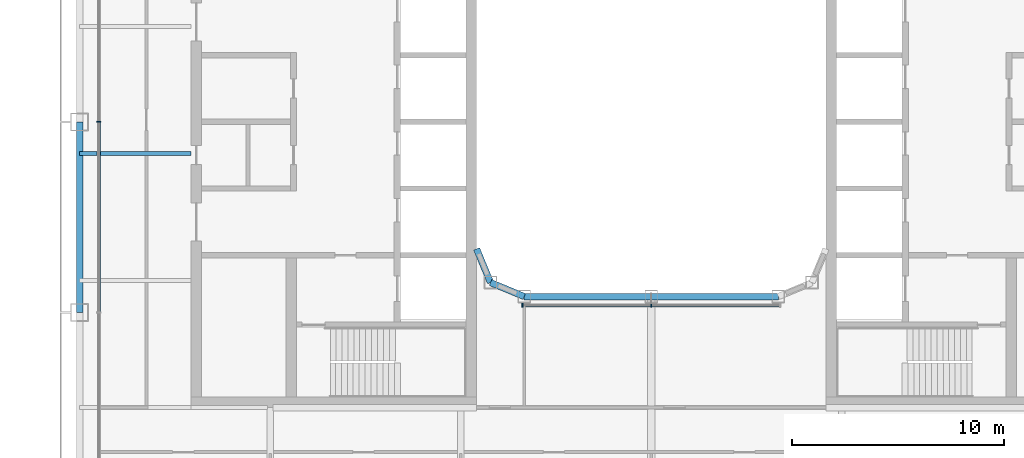
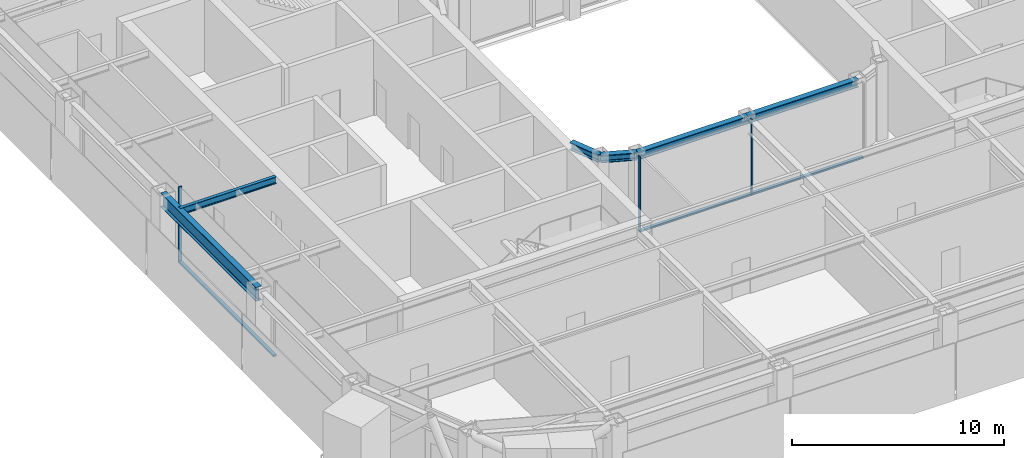
# One storey, part 3 of 23: 6 beams, 6 members, 2 elements without a shape of their own.
"""IFC4 building model written with IfcOpenShell, lengths in metres."""

from ifc_helpers import new_model, si_unit, direction, frame, origin, origin_2d, place, context, subcontext, project, spatial, rectangle, i_section, extrude, material, layer, layer_set, material_profile, profile_set, type_object, element, aggregate, save


model = new_model("IFC4")

# Units and contexts
model_context = context("Model", 3, precision=1e-05, world=origin(), true_north=direction((0.0, 1.0)))
body_context = subcontext(model_context, "Body", "Model", "MODEL_VIEW")
ifc_project = project(units=[si_unit("LENGTHUNIT", "METRE"), si_unit("AREAUNIT", "SQUARE_METRE"), si_unit("VOLUMEUNIT", "CUBIC_METRE"), si_unit("PLANEANGLEUNIT", "RADIAN"), si_unit("MASSUNIT", "GRAM", prefix="KILO")], contexts=[model_context])

# Site, building, storey
site_placement = place(None, origin())
site = spatial("IfcSite", under=ifc_project, at=site_placement, CompositionType="ELEMENT")
building_placement = place(site_placement, origin())
building = spatial("IfcBuilding", under=site, at=building_placement, Name="Siwar Civic Tower", CompositionType="ELEMENT")
storey_placement = place(building_placement, frame((0.0, 0.0, 197.199951171875)))
storey = spatial("IfcBuildingStorey", under=building, at=storey_placement, Name="L42", CompositionType="ELEMENT", Elevation=197.199951171875)

# Curtain wall, member
ifc_material_1 = material(Name="Aluminium and glass", Category="aluminium")
ifc_layer_1 = layer(ifc_material_1, 0.179931640625)
ifc_layer_set_1 = layer_set([ifc_layer_1], Name="Aluminium and glass")
curtain_wall_type_1 = type_object("IfcCurtainWallType", Name="ENV-CW-C", PredefinedType="NOTDEFINED", material=ifc_layer_set_1)
curtain_wall_1_placement = place(storey_placement, origin())
curtain_wall_1 = element("IfcCurtainWall", 1, at=curtain_wall_1_placement, inside=storey, type_object=curtain_wall_type_1, Name="Curtain wall C W", PredefinedType="NOTDEFINED")
ifc_material_2 = material(Name="Aluminium 6063-T6", Category="aluminium")
ifc_material_profile_1 = material_profile(ifc_material_2, rectangle(XDim=0.179931640625, YDim=0.06005859375, at=origin_2d()), Name="AL 180x60")
ifc_profile_set_1 = profile_set([ifc_material_profile_1], Name="Aluminium 6063-T6")
member_type_1 = type_object("IfcMemberType", Name="ENV-MULLION-C", PredefinedType="MULLION", material=ifc_profile_set_1)
member_1_placement = place(storey_placement, frame((-26.10009765625, 0.0, 0.0), z_axis=(0.0, 0.0, 1.0), x_axis=(1.0, 0.0, 0.0)))
member_1 = element("IfcMember", 2, at=member_1_placement, type_object=member_type_1, Name="Mullion C W 3", PredefinedType="MULLION", context=body_context, shape_type="SweptSolid", body=[
    extrude(rectangle(XDim=0.179931640625, YDim=0.06005859375, at=origin_2d()), origin(), (0.0, 0.0, 1.0), 4.35009765625),
])

# Curtain wall, members
ifc_material_3 = material(Name="Aluminium and glass", Category="aluminium")
ifc_layer_2 = layer(ifc_material_3, 0.179931640625)
ifc_layer_set_2 = layer_set([ifc_layer_2], Name="Aluminium and glass")
curtain_wall_type_2 = type_object("IfcCurtainWallType", Name="ENV-CW-W", PredefinedType="NOTDEFINED", material=ifc_layer_set_2)
curtain_wall_2_placement = place(storey_placement, origin())
curtain_wall_2 = element("IfcCurtainWall", 3, at=curtain_wall_2_placement, inside=storey, type_object=curtain_wall_type_2, Name="Curtain wall W WS", PredefinedType="NOTDEFINED")
ifc_material_4 = material(Name="Aluminium 6063-T6", Category="aluminium")
ifc_material_profile_2 = material_profile(ifc_material_4, rectangle(XDim=0.179931640625, YDim=0.06005859375, at=origin_2d()), Name="AL 180x60")
ifc_profile_set_2 = profile_set([ifc_material_profile_2], Name="Aluminium 6063-T6")
member_type_2 = type_object("IfcMemberType", Name="ENV-MULLION-W", PredefinedType="MULLION", material=ifc_profile_set_2)
member_2_placement = place(storey_placement, frame((-6.08154296875, -8.659912109375, 0.0), z_axis=(0.0, 0.0, 1.0), x_axis=(0.0, 1.0, 0.0)))
member_2 = element("IfcMember", 4, at=member_2_placement, type_object=member_type_2, Name="Mullion W WS 1", PredefinedType="MULLION", context=body_context, shape_type="SweptSolid", body=[
    extrude(rectangle(XDim=0.179931640625, YDim=0.06005859375, at=origin_2d()), origin(), (0.0, 0.0, 1.0), 4.35009765625),
])
member_3_placement = place(storey_placement, frame((0.0, -8.659912109375, 0.0), z_axis=(0.0, 0.0, 1.0), x_axis=(0.0, 1.0, 0.0)))
member_3 = element("IfcMember", 5, at=member_3_placement, type_object=member_type_2, Name="Mullion W WS 2", PredefinedType="MULLION", context=body_context, shape_type="SweptSolid", body=[
    extrude(rectangle(XDim=0.179931640625, YDim=0.06005859375, at=origin_2d()), origin(), (0.0, 0.0, 1.0), 4.35009765625),
])

# Member
ifc_material_5 = material(Name="Aluminium 6063-T6", Category="aluminium")
ifc_material_profile_3 = material_profile(ifc_material_5, rectangle(XDim=0.179931640625, YDim=0.10009765625, at=origin_2d()), Name="AL 180x100")
ifc_profile_set_3 = profile_set([ifc_material_profile_3], Name="Aluminium 6063-T6")
member_type_3 = type_object("IfcMemberType", Name="ENV-TRANSOM-C", PredefinedType="USERDEFINED", material=ifc_profile_set_3)
member_4_placement = place(storey_placement, frame((-26.10009765625, -0.030029296875, 0.050048828125), z_axis=(0.0, -1.0, 0.0), x_axis=(1.0, 0.0, 0.0)))
member_4 = element("IfcMember", 6, at=member_4_placement, type_object=member_type_3, Name="Transom C W 3", ObjectType="TRANSOM", PredefinedType="USERDEFINED", context=body_context, shape_type="SweptSolid", body=[
    extrude(rectangle(XDim=0.179931640625, YDim=0.10009765625, at=origin_2d()), origin(), (0.0, 0.0, 1.0), 8.93994140625),
])

aggregate(curtain_wall_1, [member_1, member_4])

ifc_material_6 = material(Name="Aluminium 6063-T6", Category="aluminium")
ifc_material_profile_4 = material_profile(ifc_material_6, rectangle(XDim=0.179931640625, YDim=0.10009765625, at=origin_2d()), Name="AL 180x100")
ifc_profile_set_4 = profile_set([ifc_material_profile_4], Name="Aluminium 6063-T6")
member_type_4 = type_object("IfcMemberType", Name="ENV-TRANSOM-W", PredefinedType="USERDEFINED", material=ifc_profile_set_4)
member_5_placement = place(storey_placement, frame((-6.051513671875, -8.659912109375, 0.050048828125), z_axis=(1.0, 0.0, 0.0), x_axis=(0.0, 1.0, 0.0)))
member_5 = element("IfcMember", 7, at=member_5_placement, type_object=member_type_4, Name="Transom W WS 1", ObjectType="TRANSOM", PredefinedType="USERDEFINED", context=body_context, shape_type="SweptSolid", body=[
    extrude(rectangle(XDim=0.179931640625, YDim=0.10009765625, at=origin_2d()), origin(), (0.0, 0.0, 1.0), 6.021484375),
])

member_6_placement = place(storey_placement, frame((0.030029296875, -8.659912109375, 0.050048828125), z_axis=(1.0, 0.0, 0.0), x_axis=(0.0, 1.0, 0.0)))
member_6 = element("IfcMember", 8, at=member_6_placement, type_object=member_type_4, Name="Transom W WS 2", ObjectType="TRANSOM", PredefinedType="USERDEFINED", context=body_context, shape_type="SweptSolid", body=[
    extrude(rectangle(XDim=0.179931640625, YDim=0.10009765625, at=origin_2d()), origin(), (0.0, 0.0, 1.0), 6.021484375),
])

aggregate(curtain_wall_2, [member_2, member_3, member_5, member_6])

# Beams
ifc_material_7 = material(Name="Steel S355", Category="steel")
ifc_material_profile_5 = material_profile(ifc_material_7, i_section(OverallWidth=0.179931640625, OverallDepth=0.39990234375, WebThickness=0.008544921875, FlangeThickness=0.013427734375, FilletRadius=0.02099609375, at=origin_2d()), Name="IPE400")
ifc_profile_set_5 = profile_set([ifc_material_profile_5], Name="Steel S355")
beam_type_1 = type_object("IfcBeamType", Name="STR-FB-IPE400", PredefinedType="JOIST", material=ifc_profile_set_5)
beam_1_placement = place(storey_placement, frame((-27.0, -1.5, 4.150146484375), z_axis=(1.0, 0.0, 0.0), x_axis=(0.0, 1.0, 0.0)))
element("IfcBeam", 9, at=beam_1_placement, inside=storey, type_object=beam_type_1, Name="L42/bm/F023", PredefinedType="JOIST", context=body_context, shape_type="SweptSolid", body=[
    extrude(i_section(OverallWidth=0.179931640625, OverallDepth=0.39990234375, WebThickness=0.008544921875, FlangeThickness=0.013427734375, FilletRadius=0.02099609375, at=origin_2d()), origin(), (0.0, 0.0, 1.0), 5.25),
])
ifc_material_8 = material(Name="Steel S355", Category="steel")
ifc_material_profile_6 = material_profile(ifc_material_8, i_section(OverallWidth=0.306884765625, OverallDepth=0.431884765625, WebThickness=0.02099609375, FlangeThickness=0.0400390625, FilletRadius=0.027099609375, at=origin_2d()), Name="HEM400")
ifc_profile_set_6 = profile_set([ifc_material_profile_6], Name="Steel S355")
beam_type_2 = type_object("IfcBeamType", Name="STR-RB-HEM400", PredefinedType="BEAM", material=ifc_profile_set_6)
beam_2_placement = place(storey_placement, frame((-7.591064453125, -7.591064453125, 4.134033203125), z_axis=(0.923901072997, -0.382631424892, 0.0), x_axis=(0.382631424892, 0.923901072997, 0.0)))
element("IfcBeam", 10, at=beam_2_placement, inside=storey, type_object=beam_type_2, Name="L42/bm/RS0", PredefinedType="BEAM", context=body_context, shape_type="SweptSolid", body=[
    extrude(i_section(OverallWidth=0.306884765625, OverallDepth=0.431884765625, WebThickness=0.02099609375, FlangeThickness=0.0400390625, FilletRadius=0.027099609375, at=origin_2d()), origin(), (0.0, 0.0, 1.0), 1.72216796875),
])
for number, where, z_axis, x_axis, name in (
    (11, (-6.0, -8.25, 4.134033203125), (1.0, 0.0, 0.0), (0.0, 1.0, 0.0), "L42/bm/RS1"),
    (12, (0.0, -8.25, 4.134033203125), (1.0, 0.0, 0.0), (0.0, 1.0, 0.0), "L42/bm/RS2"),
):
    element("IfcBeam", number, at=place(storey_placement, frame(where, z_axis=z_axis, x_axis=x_axis)), inside=storey, type_object=beam_type_2, Name=name, PredefinedType="BEAM", context=body_context, shape_type="SweptSolid", body=[
        extrude(i_section(OverallWidth=0.306884765625, OverallDepth=0.431884765625, WebThickness=0.02099609375, FlangeThickness=0.0400390625, FilletRadius=0.027099609375, at=origin_2d()), origin(), (0.0, 0.0, 1.0), 6.0),
    ])
beam_3_placement = place(storey_placement, frame((-7.591064453125, -7.591064453125, 4.134033203125), z_axis=(-0.382631424892, 0.923901072997, 0.0), x_axis=(-0.923901072997, -0.382631424892, 0.0)))
element("IfcBeam", 13, at=beam_3_placement, inside=storey, type_object=beam_type_2, Name="L42/bm/RSEW", PredefinedType="BEAM", context=body_context, shape_type="SweptSolid", body=[
    extrude(i_section(OverallWidth=0.306884765625, OverallDepth=0.431884765625, WebThickness=0.02099609375, FlangeThickness=0.0400390625, FilletRadius=0.027099609375, at=origin_2d()), origin(), (0.0, 0.0, 1.0), 1.72216796875),
])
ifc_material_9 = material(Name="Steel S355", Category="steel")
ifc_material_profile_7 = material_profile(ifc_material_9, i_section(OverallWidth=0.300048828125, OverallDepth=0.800048828125, WebThickness=0.017578125, FlangeThickness=0.032958984375, FilletRadius=0.030029296875, at=origin_2d()), Name="HEB800")
ifc_profile_set_7 = profile_set([ifc_material_profile_7], Name="Steel S355")
beam_type_3 = type_object("IfcBeamType", Name="STR-SB-HEB800", PredefinedType="BEAM", material=ifc_profile_set_7)
beam_4_placement = place(storey_placement, frame((-27.0, 0.0, 3.949951171875), z_axis=(0.0, -1.0, 0.0), x_axis=(1.0, 0.0, 0.0)))
element("IfcBeam", 14, at=beam_4_placement, inside=storey, type_object=beam_type_3, Name="L42/bm/SW-2", PredefinedType="BEAM", context=body_context, shape_type="SweptSolid", body=[
    extrude(i_section(OverallWidth=0.300048828125, OverallDepth=0.800048828125, WebThickness=0.017578125, FlangeThickness=0.032958984375, FilletRadius=0.030029296875, at=origin_2d()), origin(), (0.0, 0.0, 1.0), 9.0),
])

save(model, "model.ifc")
